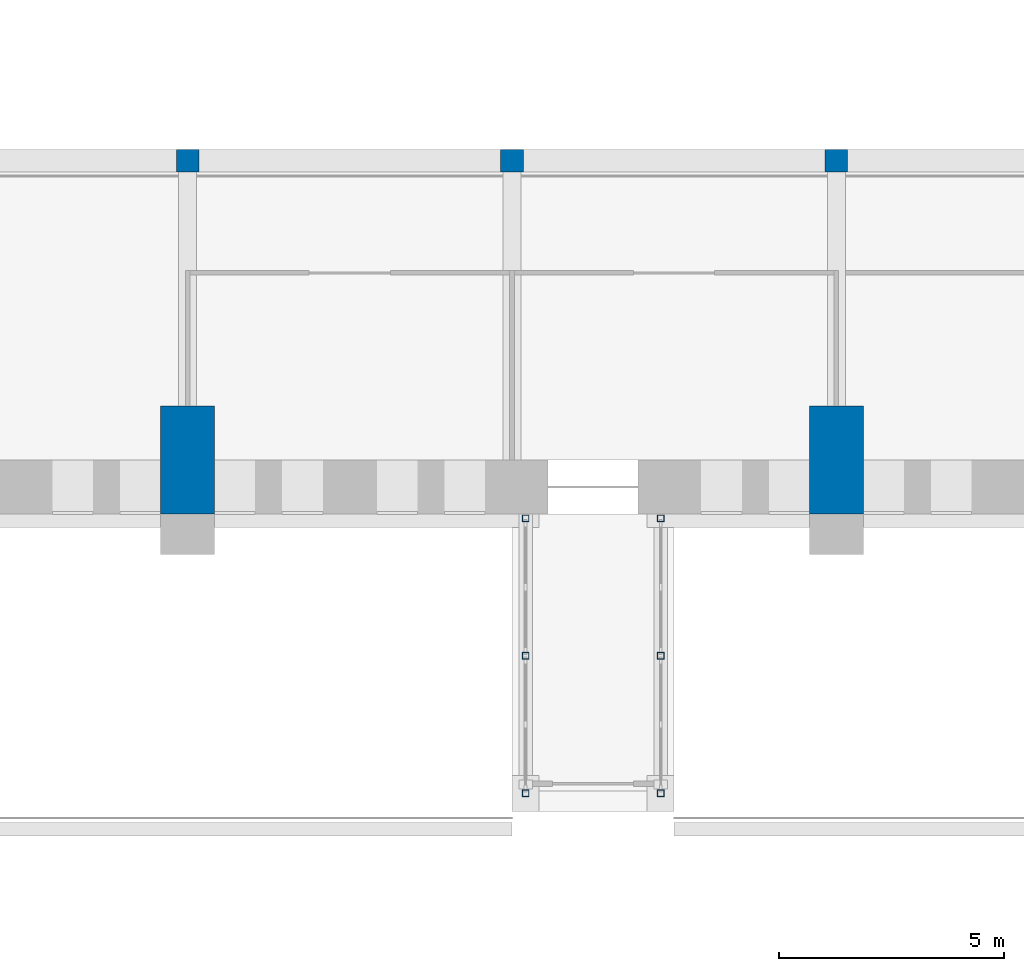
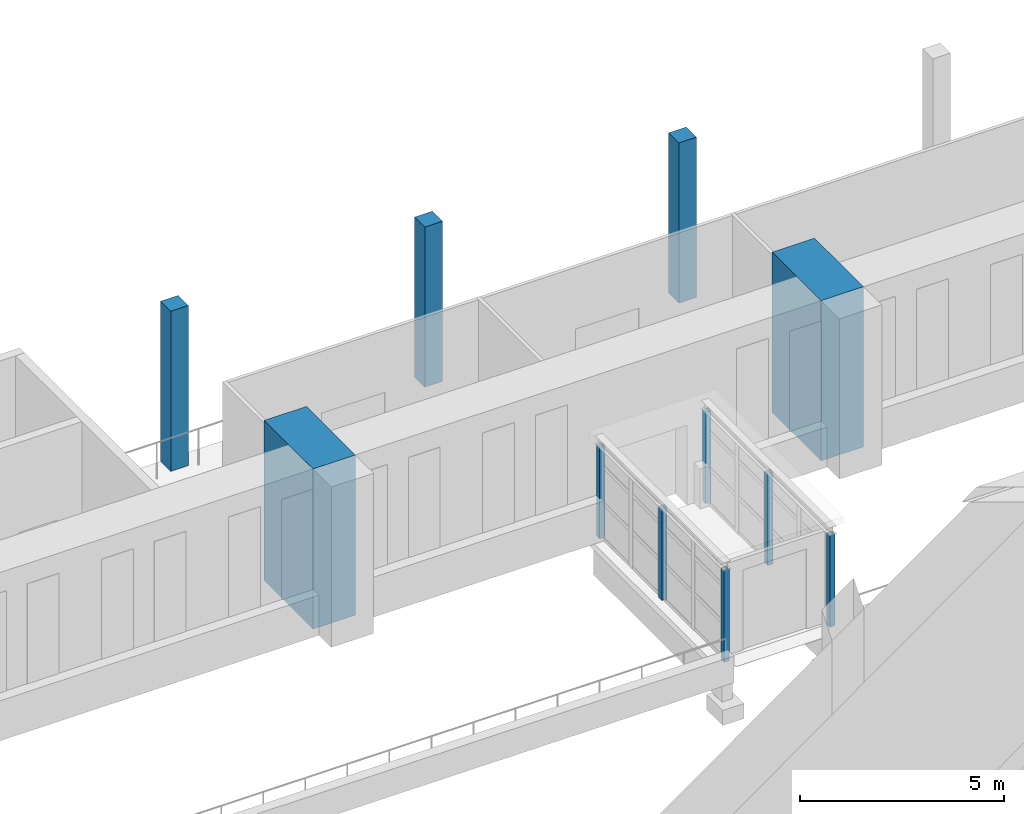
# One storey, part 6 of 131: 11 columns.
"""IFC4 building model written with IfcOpenShell, lengths in metres."""

from ifc_helpers import new_model, si_unit, direction, frame, origin, origin_2d, place, context, subcontext, project, spatial, rectangle, hollow_rectangle, extrude, material, material_profile, profile_set, type_object, element, save


model = new_model("IFC4")

# Units and contexts
model_context = context("Model", 3, precision=1e-05, world=origin(), true_north=direction((0.0, 1.0)))
body_context = subcontext(model_context, "Body", "Model", "MODEL_VIEW")
ifc_project = project(units=[si_unit("LENGTHUNIT", "METRE"), si_unit("AREAUNIT", "SQUARE_METRE"), si_unit("VOLUMEUNIT", "CUBIC_METRE"), si_unit("PLANEANGLEUNIT", "RADIAN"), si_unit("MASSUNIT", "GRAM", prefix="KILO")], contexts=[model_context])

# Site, building, storey
site_placement = place(None, origin())
site = spatial("IfcSite", under=ifc_project, at=site_placement, CompositionType="ELEMENT")
building_placement = place(site_placement, origin())
building = spatial("IfcBuilding", under=site, at=building_placement, Name="Alderwick Market Hall", CompositionType="ELEMENT")
storey_placement = place(building_placement, frame((0.0, 0.0, 4.800048828125)))
storey = spatial("IfcBuildingStorey", under=building, at=storey_placement, Name="L00", CompositionType="ELEMENT", Elevation=4.800048828125)

# Columns
ifc_material_1 = material(Name="Concrete 5000 psi (f'c 35 MPa)", Category="concrete")
ifc_material_profile_1 = material_profile(ifc_material_1, rectangle(XDim=0.5, YDim=0.5, at=origin_2d()), Name="RC 500x500")
ifc_profile_set_1 = profile_set([ifc_material_profile_1], Name="Concrete 5000 psi (f'c 35 MPa)")
column_type_1 = type_object("IfcColumnType", Name="H Column 500x500", PredefinedType="COLUMN", material=ifc_profile_set_1)
for number, where, z_axis, x_axis, name in (
    (1, (64.800048828125, 57.639892578125, 0.0), (0.0, 0.0, 1.0), (1.0, 0.0, 0.0), "Gallery column S1"),
    (2, (72.0, 57.639892578125, 0.0), (0.0, 0.0, 1.0), (1.0, 0.0, 0.0), "Gallery column S3"),
    (3, (79.199951171875, 57.639892578125, 0.0), (0.0, 0.0, 1.0), (1.0, 0.0, 0.0), "Gallery column S5"),
):
    element("IfcColumn", number, at=place(storey_placement, frame(where, z_axis=z_axis, x_axis=x_axis)), inside=storey, type_object=column_type_1, Name=name, PredefinedType="COLUMN", context=body_context, shape_type="SweptSolid", body=[
        extrude(rectangle(XDim=0.5, YDim=0.5, at=origin_2d()), origin(), (0.0, 0.0, 1.0), 4.800048828125),
    ])
ifc_material_2 = material(Name="Steel ASTM A500 Grade C", Category="steel")
ifc_material_profile_2 = material_profile(ifc_material_2, hollow_rectangle(XDim=0.152099609375, YDim=0.152099609375, WallThickness=0.009521484375, at=origin_2d()), Name="HSS152x152x9.5")
ifc_profile_set_2 = profile_set([ifc_material_profile_2], Name="Steel ASTM A500 Grade C")
column_type_2 = type_object("IfcColumnType", Name="P HSS Column 152x152x9.5", PredefinedType="COLUMN", material=ifc_profile_set_2)
for number, where, z_axis, x_axis, name in (
    (4, (72.300048828125, 43.60009765625, 0.0), (0.0, 0.0, 1.0), (1.0, 0.0, 0.0), "P.P3.col.a0"),
    (5, (72.300048828125, 46.64990234375, 0.0), (0.0, 0.0, 1.0), (1.0, 0.0, 0.0), "P.P3.col.a1"),
    (6, (72.300048828125, 49.699951171875, 0.0), (0.0, 0.0, 1.0), (1.0, 0.0, 0.0), "P.P3.col.a2"),
    (7, (75.300048828125, 43.60009765625, 0.0), (0.0, 0.0, 1.0), (1.0, 0.0, 0.0), "P.P3.col.b0"),
    (8, (75.300048828125, 46.64990234375, 0.0), (0.0, 0.0, 1.0), (1.0, 0.0, 0.0), "P.P3.col.b1"),
    (9, (75.300048828125, 49.699951171875, 0.0), (0.0, 0.0, 1.0), (1.0, 0.0, 0.0), "P.P3.col.b2"),
):
    element("IfcColumn", number, at=place(storey_placement, frame(where, z_axis=z_axis, x_axis=x_axis)), inside=storey, type_object=column_type_2, Name=name, PredefinedType="COLUMN", context=body_context, shape_type="SweptSolid", body=[
        extrude(hollow_rectangle(XDim=0.152099609375, YDim=0.152099609375, WallThickness=0.009521484375, at=origin_2d()), origin(), (0.0, 0.0, 1.0), 2.7529296875),
    ])
ifc_material_profile_3 = material_profile(ifc_material_1, rectangle(XDim=1.199951171875, YDim=2.39990234375, at=origin_2d()), Name="RC 1200x2400")
ifc_profile_set_3 = profile_set([ifc_material_profile_3], Name="Concrete 5000 psi (f'c 35 MPa)")
column_type_3 = type_object("IfcColumnType", Name="R Buttress Pier 1200x2400", PredefinedType="COLUMN", material=ifc_profile_set_3)
for number, where, z_axis, x_axis, name in (
    (10, (64.800048828125, 51.0, 0.0), (0.0, 0.0, 1.0), (1.0, 0.0, 0.0), "Buttress pier S2 L00"),
    (11, (79.199951171875, 51.0, 0.0), (0.0, 0.0, 1.0), (1.0, 0.0, 0.0), "Buttress pier S3 L00"),
):
    element("IfcColumn", number, at=place(storey_placement, frame(where, z_axis=z_axis, x_axis=x_axis)), inside=storey, type_object=column_type_3, Name=name, PredefinedType="COLUMN", context=body_context, shape_type="SweptSolid", body=[
        extrude(rectangle(XDim=1.199951171875, YDim=2.39990234375, at=origin_2d()), origin(), (0.0, 0.0, 1.0), 4.800048828125),
    ])

save(model, "model.ifc")
